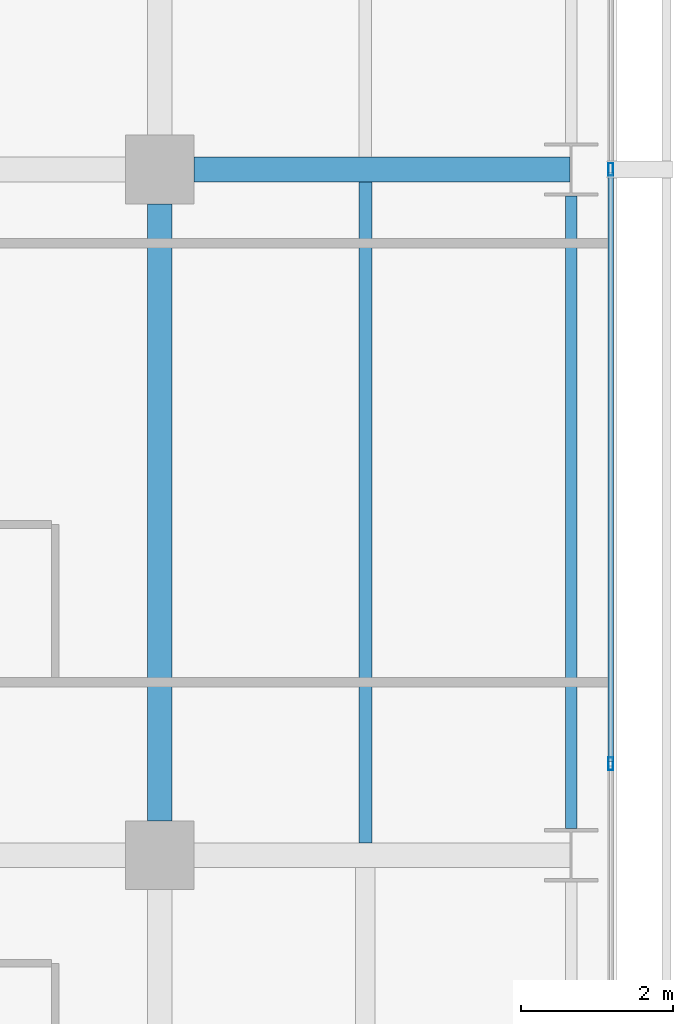
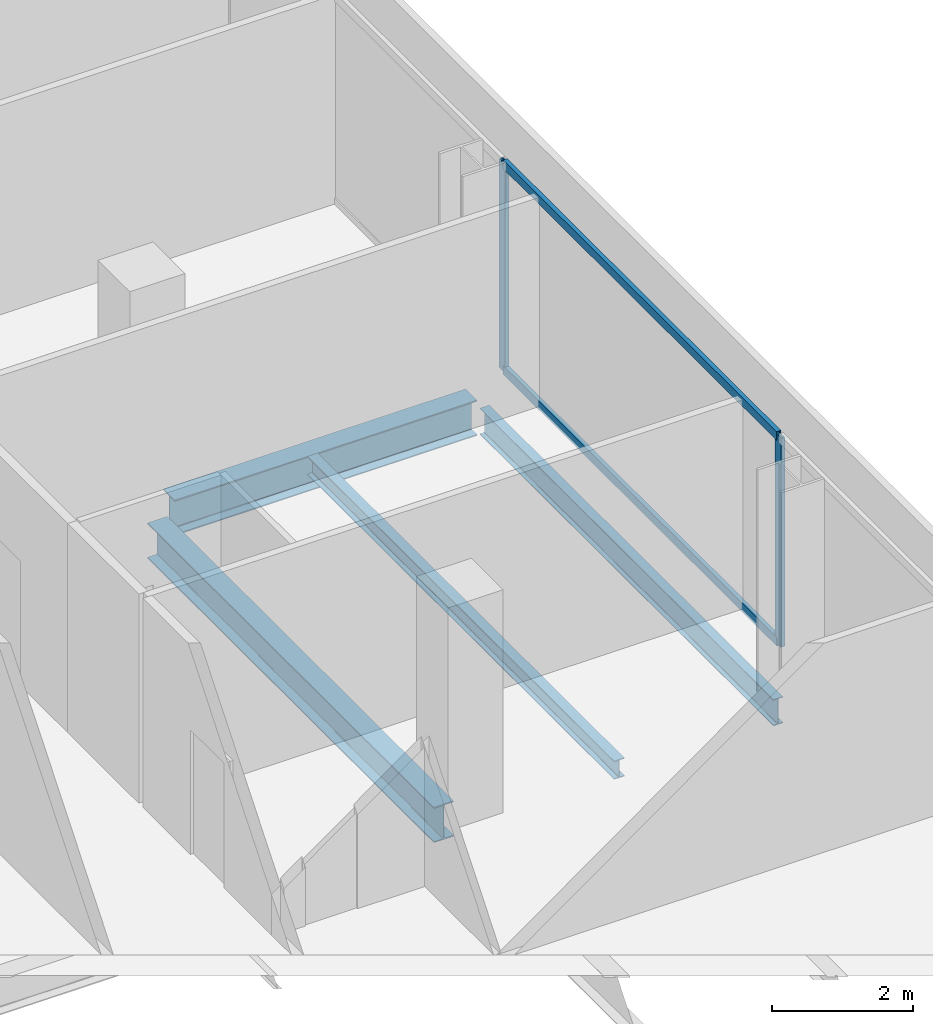
# One storey, part 19 of 40: 4 beams, 4 members, 1 element without a shape of its own.
"""IFC4 building model written with IfcOpenShell, lengths in metres."""

import ifcopenshell
import ifcopenshell.guid

model = None  # the IFC model being written
_history = None  # IfcOwnerHistory: only IFC2X3 demands one
_inside = {}  # id of a spatial element -> (the spatial element, [elements in it])
_under = {}  # id of a project, library or spatial element -> (it, [spatial elements below it])
_declared = {}  # id of a project -> (the project, [libraries it declares])
_typed = {}  # id of a type object -> (the type object, [elements of that type])
_made_of = {}  # id of a material, layer set ... -> (it, [elements and type objects made of it])


def new_model(schema):
    """Start an empty IFC model of exactly this schema.

    Asked for "IFC4X3", IfcOpenShell would pick the latest addendum, in which some entities
    have other attributes; the version numbers below select the first issue.
    IFC2X3 requires an IfcOwnerHistory on every rooted entity: one is made here for all.
    """
    global model, _history
    if schema == "IFC4X3":
        model = ifcopenshell.file(schema_version=(4, 3, 0, 0))
    else:
        model = ifcopenshell.file(schema=schema)
    _inside.clear()
    _under.clear()
    _declared.clear()
    _typed.clear()
    _made_of.clear()
    _history = None
    if model.schema == "IFC2X3":
        org = make("IfcOrganization", Name="unknown")
        user = make(
            "IfcPersonAndOrganization",
            ThePerson=make("IfcPerson", FamilyName="unknown"),
            TheOrganization=org,
        )
        app = make(
            "IfcApplication",
            ApplicationDeveloper=org,
            Version="unknown",
            ApplicationFullName="unknown",
            ApplicationIdentifier="unknown",
        )
        _history = make(
            "IfcOwnerHistory",
            OwningUser=user,
            OwningApplication=app,
            ChangeAction="ADDED",
            CreationDate=0,
        )
    return model


def make(cls, **values):
    """One entity of the class cls with the attributes given. An attribute that is None is left unset."""
    return model.create_entity(
        cls, **{name: value for name, value in values.items() if value is not None}
    )


def rooted(cls, **values):
    """An entity with a GlobalId (a new one), such as an element, a storey or a relation."""
    return make(cls, GlobalId=ifcopenshell.guid.new(), OwnerHistory=_history, **values)


def si_unit(unit_type, name, prefix=None):
    """IfcSIUnit, for example si_unit("LENGTHUNIT", "METRE", prefix="MILLI")."""
    return make("IfcSIUnit", UnitType=unit_type, Prefix=prefix, Name=name)


def assignment(units):
    """IfcUnitAssignment: the units of a project."""
    return None if units is None else make("IfcUnitAssignment", Units=units)


def point(xyz):
    """IfcCartesianPoint."""
    return None if xyz is None else make("IfcCartesianPoint", Coordinates=xyz)


def direction(xyz):
    """IfcDirection."""
    return None if xyz is None else make("IfcDirection", DirectionRatios=xyz)


def frame(location, z_axis=None, x_axis=None):
    """IfcAxis2Placement3D, a coordinate frame: its origin and axes. An axis left out is left unset."""
    return make(
        "IfcAxis2Placement3D",
        Location=point(location),
        Axis=direction(z_axis),
        RefDirection=direction(x_axis),
    )


def frame_2d(location, x_axis=None):
    """IfcAxis2Placement2D, a coordinate frame in the plane: its origin and x axis."""
    return make(
        "IfcAxis2Placement2D", Location=point(location), RefDirection=direction(x_axis)
    )


def origin():
    """The frame at (0, 0, 0) with its axes left unset."""
    return frame((0.0, 0.0, 0.0))


def origin_2d():
    """The frame at (0, 0) in the plane with its x axis left unset."""
    return frame_2d((0.0, 0.0))


def place(relative_to, where):
    """IfcLocalPlacement: puts the frame where relative to a parent placement (None: the world)."""
    return make(
        "IfcLocalPlacement", PlacementRelTo=relative_to, RelativePlacement=where
    )


def context(
    kind, dimensions, precision=None, world=None, true_north=None, identifier=None
):
    """IfcGeometricRepresentationContext, for example the 3D "Model" context."""
    return make(
        "IfcGeometricRepresentationContext",
        ContextIdentifier=identifier,
        ContextType=kind,
        CoordinateSpaceDimension=dimensions,
        Precision=precision,
        WorldCoordinateSystem=world,
        TrueNorth=true_north,
    )


def subcontext(parent, identifier, kind, view, scale=None):
    """IfcGeometricRepresentationSubContext, for example "Body" below "Model"."""
    return make(
        "IfcGeometricRepresentationSubContext",
        ContextIdentifier=identifier,
        ContextType=kind,
        ParentContext=parent,
        TargetScale=scale,
        TargetView=view,
    )


def project(units=None, contexts=None):
    """IfcProject with its units and contexts."""
    return rooted(
        "IfcProject",
        Name="project",
        RepresentationContexts=contexts,
        UnitsInContext=assignment(units),
    )


def spatial(cls, under=None, at=None, **own):
    """A site, building, storey or space (cls), placed at a placement, below another one or the project."""
    s = rooted(cls, ObjectPlacement=at, **own)
    if under is not None:
        _under.setdefault(under.id(), (under, []))[1].append(s)
    return s


def profile(cls, at=None, kind="AREA", **sizes):
    """A parametric profile (cls). Its sizes go by their IFC names, for example OverallWidth=200.0."""
    return make(cls, ProfileType=kind, Position=at, **sizes)


def hollow_rectangle(**sizes):
    """IfcRectangleHollowProfileDef."""
    return profile("IfcRectangleHollowProfileDef", **sizes)


def i_section(**sizes):
    """IfcIShapeProfileDef."""
    return profile("IfcIShapeProfileDef", **sizes)


def extrude(swept, where, along, depth):
    """IfcExtrudedAreaSolid: the profile swept, set in the frame where, extruded along a direction by depth."""
    return make(
        "IfcExtrudedAreaSolid",
        SweptArea=swept,
        Position=where,
        ExtrudedDirection=direction(along),
        Depth=depth,
    )


def shape(context_of_items, identifier, shape_type, items):
    """IfcShapeRepresentation: the items that make up one representation, for example the "Body"."""
    return make(
        "IfcShapeRepresentation",
        ContextOfItems=context_of_items,
        RepresentationIdentifier=identifier,
        RepresentationType=shape_type,
        Items=items,
    )


def material(Name=None, Category=None):
    """IfcMaterial."""
    return make("IfcMaterial", Name=Name, Category=Category)


def layer(
    of_material, thickness, ventilated=None, Name=None, Category=None, Priority=None
):
    """IfcMaterialLayer: one layer of a wall or slab, of a material (None: an air gap)."""
    return make(
        "IfcMaterialLayer",
        Material=of_material,
        LayerThickness=thickness,
        IsVentilated=ventilated,
        Name=Name,
        Category=Category,
        Priority=Priority,
    )


def layer_set(layers, Name=None):
    """IfcMaterialLayerSet."""
    return make("IfcMaterialLayerSet", MaterialLayers=layers, LayerSetName=Name)


def material_profile(
    of_material, cross_section, Name=None, Category=None, Priority=None
):
    """IfcMaterialProfile: a cross section and its material."""
    return make(
        "IfcMaterialProfile",
        Name=Name,
        Material=of_material,
        Profile=cross_section,
        Priority=Priority,
        Category=Category,
    )


def profile_set(profiles, Name=None, composite=None):
    """IfcMaterialProfileSet."""
    return make(
        "IfcMaterialProfileSet",
        Name=Name,
        MaterialProfiles=profiles,
        CompositeProfile=composite,
    )


def made_of(thing, what):
    """Note that an element or type object is made of a material, layer set ...; save() writes the relation."""
    if what is not None:
        _made_of.setdefault(what.id(), (what, []))[1].append(thing)
    return thing


def type_object(cls, material=None, **own):
    """A type object (cls), such as IfcWallType, which elements share."""
    return made_of(rooted(cls, **own), material)


def element(
    cls,
    number,
    at=None,
    inside=None,
    cuts=None,
    type_object=None,
    material=None,
    context=None,
    identifier="Body",
    shape_type=None,
    held_by="IfcProductDefinitionShape",
    body=None,
    shapes=None,
    **own,
):
    """One element of the class cls, such as IfcWall. Its Tag is "e" and its number.

    at: its placement. inside: the storey or other place that contains it. cuts: it is an
    opening in that element (IfcRelVoidsElement). A single representation is given by context,
    identifier, shape_type and body (its items); several are given by shapes. held_by: the class
    of the entity that holds the representations. save() writes the other relations.
    """
    e = rooted(cls, Tag="e%d" % number, ObjectPlacement=at, **own)
    if body is not None:
        shapes = [shape(context, identifier, shape_type, body)]
    if shapes is not None:
        e.Representation = make(held_by, Representations=shapes)
    if inside is not None:
        _inside.setdefault(inside.id(), (inside, []))[1].append(e)
    if cuts is not None:
        rooted(
            "IfcRelVoidsElement", RelatingBuildingElement=cuts, RelatedOpeningElement=e
        )
    if type_object is not None:
        _typed.setdefault(type_object.id(), (type_object, []))[1].append(e)
    return made_of(e, material)


def aggregate(whole, parts):
    """IfcRelAggregates: a whole, such as a stair, and the parts it consists of."""
    return rooted("IfcRelAggregates", RelatingObject=whole, RelatedObjects=parts)


def save(model, path):
    """Write the relations noted so far, then the file.

    IfcRelAggregates (storeys below a building ...), IfcRelContainedInSpatialStructure (elements
    in a storey), IfcRelDefinesByType, IfcRelAssociatesMaterial and IfcRelDeclares: one each for
    every whole, place, type object, material and project.
    """
    for whole, parts in _under.values():
        aggregate(whole, parts)
    for where, things in _inside.values():
        rooted(
            "IfcRelContainedInSpatialStructure",
            RelatedElements=things,
            RelatingStructure=where,
        )
    for kind, things in _typed.values():
        rooted("IfcRelDefinesByType", RelatedObjects=things, RelatingType=kind)
    for what, things in _made_of.values():
        rooted("IfcRelAssociatesMaterial", RelatedObjects=things, RelatingMaterial=what)
    for by, libraries in _declared.values():
        rooted("IfcRelDeclares", RelatingContext=by, RelatedDefinitions=libraries)
    model.write(path)


model = new_model("IFC4")

# Units and contexts
model_context = context("Model", 3, precision=1e-05, world=origin(), true_north=direction((0.0, 1.0)))
body_context = subcontext(model_context, "Body", "Model", "MODEL_VIEW")
ifc_project = project(units=[si_unit("LENGTHUNIT", "METRE"), si_unit("AREAUNIT", "SQUARE_METRE"), si_unit("VOLUMEUNIT", "CUBIC_METRE"), si_unit("PLANEANGLEUNIT", "RADIAN"), si_unit("MASSUNIT", "GRAM", prefix="KILO")], contexts=[model_context])

# Site, building, storey
site_placement = place(None, origin())
site = spatial("IfcSite", under=ifc_project, at=site_placement, CompositionType="ELEMENT")
building_placement = place(site_placement, origin())
building = spatial("IfcBuilding", under=site, at=building_placement, Name="Maruvema Waterfront Hotel and Observation Tower", CompositionType="ELEMENT")
storey_placement = place(building_placement, frame((0.0, 0.0, 92.39990234375)))
storey = spatial("IfcBuildingStorey", under=building, at=storey_placement, Name="L22", CompositionType="ELEMENT", Elevation=92.39990234375)

# Curtain wall, members
ifc_material_1 = material(Name="Anodised bronze aluminium and solar-control low-E IGU", Category="aluminium")
ifc_layer = layer(ifc_material_1, 0.159912109375, Name="Zone 1 Bronze Inner Thermal Curtain Wall System CW-02")
ifc_layer_set = layer_set([ifc_layer], Name="Anodised bronze aluminium and solar-control low-E IGU")
curtain_wall_type = type_object("IfcCurtainWallType", Name="Zone 1 Bronze Inner Thermal Curtain Wall System CW-02", PredefinedType="USERDEFINED", material=ifc_layer_set)
curtain_wall_placement = place(storey_placement, origin())
curtain_wall = element("IfcCurtainWall", 1, at=curtain_wall_placement, inside=storey, type_object=curtain_wall_type, Name="L22 Curtain Wall CW-L22-E", ObjectType="UNITISED CURTAIN WALL", PredefinedType="USERDEFINED")
ifc_material_2 = material(Name="Anodised architectural bronze aluminium", Category="aluminium")
ifc_material_profile_1 = material_profile(ifc_material_2, hollow_rectangle(XDim=0.070068359375, YDim=0.14990234375, WallThickness=0.00390625, at=origin_2d()), Name="ALU-T70x150")
ifc_profile_set_1 = profile_set([ifc_material_profile_1], Name="Anodised architectural bronze aluminium")
member_type_1 = type_object("IfcMemberType", Name="Curtain Wall Horizontal Transom ALU-T70x150", PredefinedType="USERDEFINED", material=ifc_profile_set_1)
member_1_placement = place(storey_placement, frame((64.719970703125, 19.22998046875, 0.030029296875), z_axis=(0.0, 1.0, 0.0), x_axis=(-1.0, 0.0, 0.0)))
member_1 = element("IfcMember", 2, at=member_1_placement, type_object=member_type_1, Name="CW-02 transom 3.1", ObjectType="TRANSOM", PredefinedType="USERDEFINED", context=body_context, shape_type="SweptSolid", body=[
    extrude(hollow_rectangle(XDim=0.070068359375, YDim=0.14990234375, WallThickness=0.00390625, at=origin_2d()), origin(), (0.0, 0.0, 1.0), 7.739990234375),
])
member_2_placement = place(storey_placement, frame((64.719970703125, 19.22998046875, 3.580078125), z_axis=(0.0, 1.0, 0.0), x_axis=(-1.0, 0.0, 0.0)))
member_2 = element("IfcMember", 3, at=member_2_placement, type_object=member_type_1, Name="CW-02 transom 3.2", ObjectType="TRANSOM", PredefinedType="USERDEFINED", context=body_context, shape_type="SweptSolid", body=[
    extrude(hollow_rectangle(XDim=0.070068359375, YDim=0.14990234375, WallThickness=0.00390625, at=origin_2d()), origin(), (0.0, 0.0, 1.0), 7.739990234375),
])
ifc_material_3 = material(Name="Anodised architectural bronze aluminium", Category="aluminium")
ifc_material_profile_2 = material_profile(ifc_material_3, hollow_rectangle(XDim=0.06494140625, YDim=0.1650390625, WallThickness=0.00390625, at=origin_2d()), Name="ALU-M65x165")
ifc_profile_set_2 = profile_set([ifc_material_profile_2], Name="Anodised architectural bronze aluminium")
member_type_2 = type_object("IfcMemberType", Name="Curtain Wall Primary Mullion ALU-M65x165", PredefinedType="MULLION", material=ifc_profile_set_2)
member_3_placement = place(storey_placement, frame((64.719970703125, 19.199951171875, 0.0), z_axis=(0.0, 0.0, 1.0), x_axis=(-1.0, 0.0, 0.0)))
member_3 = element("IfcMember", 4, at=member_3_placement, type_object=member_type_2, Name="CW-02 mullion 3", PredefinedType="MULLION", context=body_context, shape_type="SweptSolid", body=[
    extrude(hollow_rectangle(XDim=0.06494140625, YDim=0.1650390625, WallThickness=0.00390625, at=origin_2d()), origin(), (0.0, 0.0, 1.0), 3.610107421875),
])
member_4_placement = place(storey_placement, frame((64.719970703125, 27.0, 0.0), z_axis=(0.0, 0.0, 1.0), x_axis=(-1.0, 0.0, 0.0)))
member_4 = element("IfcMember", 5, at=member_4_placement, type_object=member_type_2, Name="CW-02 mullion 4", PredefinedType="MULLION", context=body_context, shape_type="SweptSolid", body=[
    extrude(hollow_rectangle(XDim=0.06494140625, YDim=0.1650390625, WallThickness=0.00390625, at=origin_2d()), origin(), (0.0, 0.0, 1.0), 3.610107421875),
])
aggregate(curtain_wall, [member_3, member_4, member_1, member_2])

# Beams
ifc_material_4 = material(Name="Steel ASTM A572 Grade 50", Category="steel")
ifc_material_profile_3 = material_profile(ifc_material_4, i_section(OverallWidth=0.153076171875, OverallDepth=0.455078125, WebThickness=0.008056640625, FlangeThickness=0.01318359375, FilletRadius=0.014892578125, at=origin_2d()), Name="W460x60.0")
ifc_profile_set_3 = profile_set([ifc_material_profile_3], Name="Steel ASTM A572 Grade 50")
beam_type_1 = type_object("IfcBeamType", Name="Perimeter Spandrel Beam W460x60.0", PredefinedType="SPANDREL", material=ifc_profile_set_3)
beam_1_placement = place(storey_placement, frame((64.199951171875, 18.35009765625, -0.46728515625), z_axis=(0.0, 1.0, 0.0), x_axis=(-1.0, 0.0, 0.0)))
element("IfcBeam", 6, at=beam_1_placement, inside=storey, type_object=beam_type_1, Name="L22 Floor Girder NS-34", PredefinedType="SPANDREL", context=body_context, shape_type="SweptSolid", body=[
    extrude(i_section(OverallWidth=0.153076171875, OverallDepth=0.455078125, WebThickness=0.008056640625, FlangeThickness=0.01318359375, FilletRadius=0.014892578125, at=origin_2d()), origin(), (0.0, 0.0, 1.0), 8.2998046875),
])
ifc_material_5 = material(Name="Steel ASTM A572 Grade 50", Category="steel")
ifc_material_profile_4 = material_profile(ifc_material_5, i_section(OverallWidth=0.323974609375, OverallDepth=0.611083984375, WebThickness=0.0126953125, FlangeThickness=0.01904296875, FilletRadius=0.01806640625, at=origin_2d()), Name="W610x155.0")
ifc_profile_set_4 = profile_set([ifc_material_profile_4], Name="Steel ASTM A572 Grade 50")
beam_type_2 = type_object("IfcBeamType", Name="Primary Floor Girder W610x155.0", PredefinedType="BEAM", material=ifc_profile_set_4)
beam_2_placement = place(storey_placement, frame((59.25, 27.0, -0.54541015625), z_axis=(1.0, 0.0, 0.0), x_axis=(0.0, 1.0, 0.0)))
element("IfcBeam", 7, at=beam_2_placement, inside=storey, type_object=beam_type_2, Name="L22 Floor Girder EW-24", PredefinedType="BEAM", context=body_context, shape_type="SweptSolid", body=[
    extrude(i_section(OverallWidth=0.323974609375, OverallDepth=0.611083984375, WebThickness=0.0126953125, FlangeThickness=0.01904296875, FilletRadius=0.01806640625, at=origin_2d()), origin(), (0.0, 0.0, 1.0), 4.93603515625),
])
beam_3_placement = place(storey_placement, frame((58.800048828125, 18.449951171875, -0.54541015625), z_axis=(0.0, 1.0, 0.0), x_axis=(-1.0, 0.0, 0.0)))
element("IfcBeam", 8, at=beam_3_placement, inside=storey, type_object=beam_type_2, Name="L22 Floor Girder NS-29", PredefinedType="BEAM", context=body_context, shape_type="SweptSolid", body=[
    extrude(i_section(OverallWidth=0.323974609375, OverallDepth=0.611083984375, WebThickness=0.0126953125, FlangeThickness=0.01904296875, FilletRadius=0.01806640625, at=origin_2d()), origin(), (0.0, 0.0, 1.0), 8.10009765625),
])
ifc_material_6 = material(Name="Steel ASTM A572 Grade 50", Category="steel")
ifc_material_profile_5 = material_profile(ifc_material_6, i_section(OverallWidth=0.1669921875, OverallDepth=0.31689453125, WebThickness=0.007568359375, FlangeThickness=0.01318359375, FilletRadius=0.012939453125, at=origin_2d()), Name="W310x52.0")
ifc_profile_set_5 = profile_set([ifc_material_profile_5], Name="Steel ASTM A572 Grade 50")
beam_type_3 = type_object("IfcBeamType", Name="Secondary Floor Joist W310x52.0", PredefinedType="JOIST", material=ifc_profile_set_5)
beam_4_placement = place(storey_placement, frame((61.5, 18.162109375, -0.3984375), z_axis=(0.0, 1.0, 0.0), x_axis=(-1.0, 0.0, 0.0)))
element("IfcBeam", 9, at=beam_4_placement, inside=storey, type_object=beam_type_3, Name="L22 Secondary Floor Joist JS-22", PredefinedType="JOIST", context=body_context, shape_type="SweptSolid", body=[
    extrude(i_section(OverallWidth=0.1669921875, OverallDepth=0.31689453125, WebThickness=0.007568359375, FlangeThickness=0.01318359375, FilletRadius=0.012939453125, at=origin_2d()), origin(), (0.0, 0.0, 1.0), 8.67578125),
])

save(model, "model.ifc")
